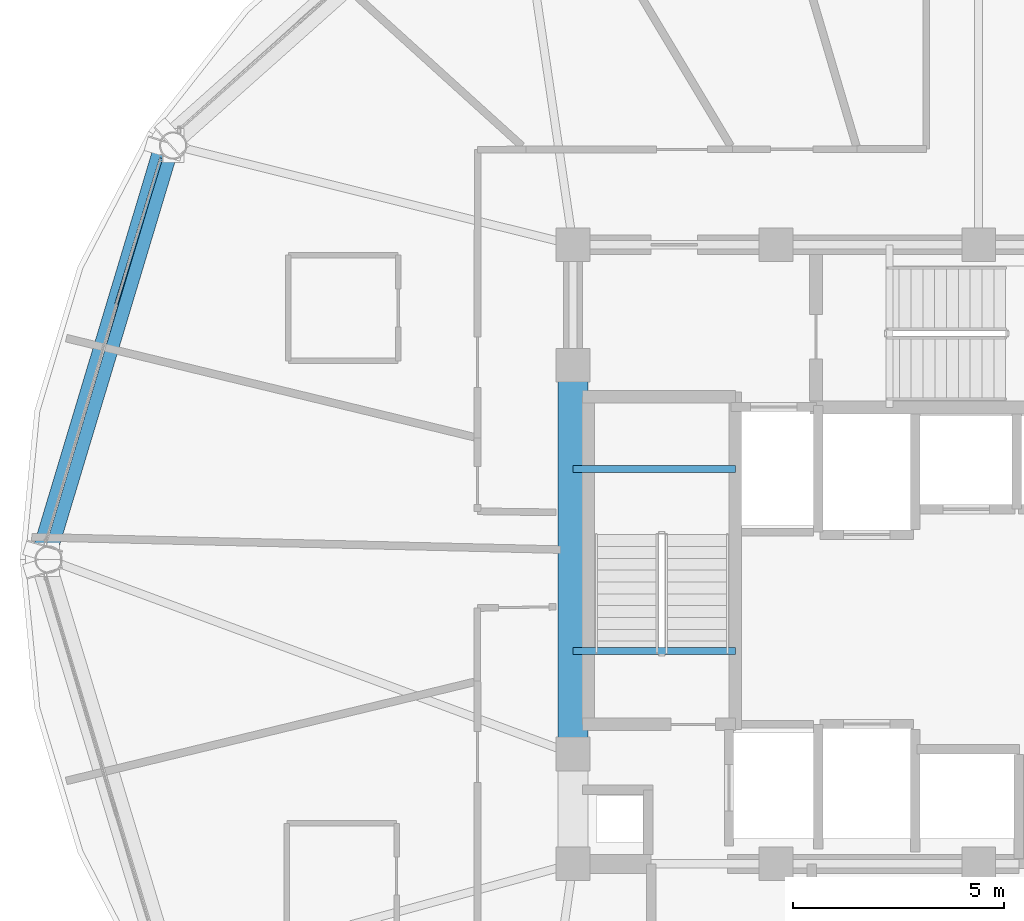
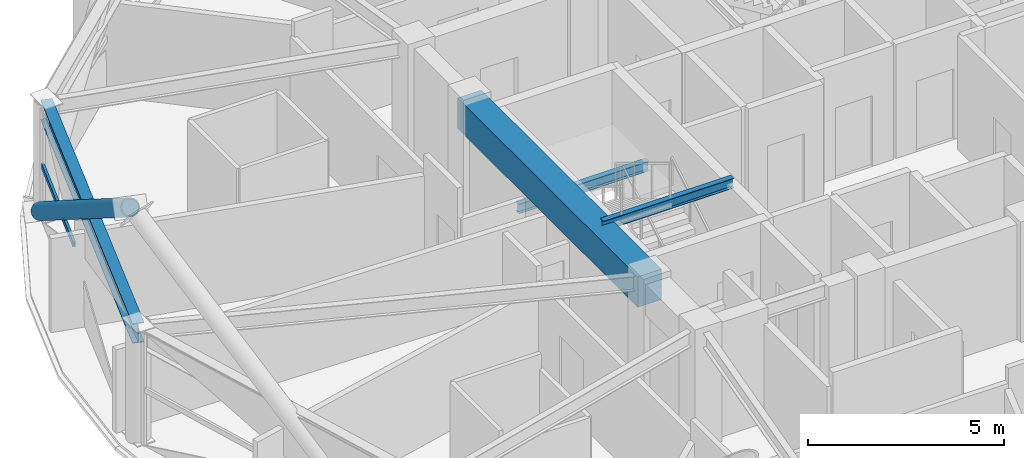
# One storey, part 8 of 29: 4 beams, 2 members, 1 element without a shape of its own.
"""IFC4 building model written with IfcOpenShell, lengths in metres."""

from ifc_helpers import new_model, si_unit, direction, frame, origin, origin_2d, place, context, subcontext, project, spatial, rectangle, hollow_rectangle, hollow_circle, i_section, extrude, material, layer, layer_set, material_profile, profile_set, type_object, element, aggregate, save


model = new_model("IFC4")

# Units and contexts
model_context = context("Model", 3, precision=1e-05, world=origin(), true_north=direction((0.0, 1.0)))
body_context = subcontext(model_context, "Body", "Model", "MODEL_VIEW")
ifc_project = project(units=[si_unit("LENGTHUNIT", "METRE"), si_unit("AREAUNIT", "SQUARE_METRE"), si_unit("VOLUMEUNIT", "CUBIC_METRE"), si_unit("PLANEANGLEUNIT", "RADIAN"), si_unit("MASSUNIT", "GRAM", prefix="KILO")], contexts=[model_context])

# Site, building, storey
site_placement = place(None, origin())
site = spatial("IfcSite", under=ifc_project, at=site_placement, CompositionType="ELEMENT")
building_placement = place(site_placement, origin())
building = spatial("IfcBuilding", under=site, at=building_placement, Name="Vantalir Tower", CompositionType="ELEMENT")
storey_placement = place(building_placement, frame((0.0, 0.0, 219.89990234375)))
storey = spatial("IfcBuildingStorey", under=building, at=storey_placement, Name="L55", CompositionType="ELEMENT", Elevation=219.89990234375)

# Beams
ifc_material_1 = material(Name="Concrete C60/75", Category="concrete")
ifc_material_profile_1 = material_profile(ifc_material_1, rectangle(XDim=0.699951171875, YDim=0.949951171875, at=origin_2d()), Name="Concrete C60/75")
ifc_profile_set_1 = profile_set([ifc_material_profile_1], Name="Concrete C60/75")
beam_type_1 = type_object("IfcBeamType", Name="BM-CB-700x950", PredefinedType="USERDEFINED", material=ifc_profile_set_1)
beam_1_placement = place(storey_placement, frame((21.89990234375, 29.60009765625, 3.09521484375), z_axis=(0.0, -1.0, 0.0), x_axis=(1.0, 0.0, 0.0)))
element("IfcBeam", 1, at=beam_1_placement, inside=storey, type_object=beam_type_1, Name="L55 Core Coupling Girder 13", ObjectType="GIRDER", PredefinedType="USERDEFINED", context=body_context, shape_type="SweptSolid", body=[
    extrude(rectangle(XDim=0.699951171875, YDim=0.949951171875, at=origin_2d()), origin(), (0.0, 0.0, 1.0), 9.2001953125),
])
ifc_material_2 = material(Name="Steel S355", Category="steel")
ifc_material_profile_2 = material_profile(ifc_material_2, i_section(OverallWidth=0.166015625, OverallDepth=0.306884765625, WebThickness=0.006591796875, FlangeThickness=0.01171875, at=origin_2d()), Name="Steel S355")
ifc_profile_set_2 = profile_set([ifc_material_profile_2], Name="Steel S355")
beam_type_2 = type_object("IfcBeamType", Name="BM-JS-305x165", PredefinedType="JOIST", material=ifc_profile_set_2)
for number, where, z_axis, x_axis, name in (
    (2, (21.89990234375, 22.8349609375, 3.59619140625), (1.0, 0.0, 0.0), (0.0, 1.0, 0.0), "L56 Stair ST1 Well Nosing Trimmer Beam"),
    (3, (21.89990234375, 27.14501953125, 1.52099609375), (1.0, 0.0, 0.0), (0.0, 1.0, 0.0), "L55 Stair ST1 Half-Landing Support Beam"),
):
    element("IfcBeam", number, at=place(storey_placement, frame(where, z_axis=z_axis, x_axis=x_axis)), inside=storey, type_object=beam_type_2, Name=name, PredefinedType="JOIST", context=body_context, shape_type="SweptSolid", body=[
        extrude(i_section(OverallWidth=0.166015625, OverallDepth=0.306884765625, WebThickness=0.006591796875, FlangeThickness=0.01171875, at=origin_2d()), origin(), (0.0, 0.0, 1.0), 3.840087890625),
    ])
ifc_material_3 = material(Name="Steel S460", Category="steel")
ifc_material_profile_3 = material_profile(ifc_material_3, i_section(OverallWidth=0.306884765625, OverallDepth=0.6201171875, WebThickness=0.01416015625, FlangeThickness=0.023681640625, at=origin_2d()), Name="Steel S460")
ifc_profile_set_3 = profile_set([ifc_material_profile_3], Name="Steel S460")
beam_type_3 = type_object("IfcBeamType", Name="BM-RG-610x305", PredefinedType="USERDEFINED", material=ifc_profile_set_3)
beam_2_placement = place(storey_placement, frame((12.43603515625, 34.798095703125, 3.260009765625), z_axis=(-0.288203662464, -0.957569135333, 0.0), x_axis=(0.957569135333, -0.288203662464, 0.0)))
element("IfcBeam", 4, at=beam_2_placement, inside=storey, type_object=beam_type_3, Name="L55 Circumferential Ring Girder 06", ObjectType="GIRDER", PredefinedType="USERDEFINED", context=body_context, shape_type="SweptSolid", body=[
    extrude(i_section(OverallWidth=0.306884765625, OverallDepth=0.6201171875, WebThickness=0.01416015625, FlangeThickness=0.023681640625, at=origin_2d()), origin(), (0.0, 0.0, 1.0), 10.232177734375),
])

# Curtain wall, member
ifc_material_4 = material(Name="Champagne-silver PVDF aluminium and double-silver Low-E glass", Category="aluminium")
ifc_layer = layer(ifc_material_4, 0.2099609375)
ifc_layer_set = layer_set([ifc_layer], Name="Champagne-silver PVDF aluminium and double-silver Low-E glass")
curtain_wall_type = type_object("IfcCurtainWallType", Name="CW-DIAMOND-Z3", PredefinedType="USERDEFINED", material=ifc_layer_set)
curtain_wall_placement = place(storey_placement, origin())
curtain_wall = element("IfcCurtainWall", 5, at=curtain_wall_placement, inside=storey, type_object=curtain_wall_type, Name="L55 Quilted Pyramid-Diamond Curtain Wall S06", ObjectType="UNITISED CURTAIN WALL", PredefinedType="USERDEFINED")
ifc_material_5 = material(Name="Champagne-silver PVDF aluminium 6063-T6", Category="aluminium")
ifc_material_profile_4 = material_profile(ifc_material_5, hollow_rectangle(XDim=0.074951171875, YDim=0.159912109375, WallThickness=0.00390625, at=origin_2d()), Name="Champagne-silver PVDF aluminium 6063-T6")
ifc_profile_set_4 = profile_set([ifc_material_profile_4], Name="Champagne-silver PVDF aluminium 6063-T6")
member_type_1 = type_object("IfcMemberType", Name="CWT-160x75", PredefinedType="USERDEFINED", material=ifc_profile_set_4)
member_1_placement = place(storey_placement, frame((12.154052734375, 34.5, 1.78515625), z_axis=(-0.294380131047, -0.955688410751, 0.0), x_axis=(0.955688410751, -0.294380131047, 0.0)))
member_1 = element("IfcMember", 6, at=member_1_placement, type_object=member_type_1, Name="CW-L55-S06 Pyramid Fold Ridge Transom", ObjectType="TRANSOM", PredefinedType="USERDEFINED", context=body_context, shape_type="SweptSolid", body=[
    extrude(hollow_rectangle(XDim=0.074951171875, YDim=0.159912109375, WallThickness=0.00390625, at=origin_2d()), origin(), (0.0, 0.0, 1.0), 3.6142578125),
])
aggregate(curtain_wall, [member_1])

# Member
ifc_material_profile_5 = material_profile(ifc_material_3, hollow_circle(Radius=0.25, WallThickness=0.031982421875, at=origin_2d()), Name="Steel S460")
ifc_profile_set_5 = profile_set([ifc_material_profile_5], Name="Steel S460")
member_type_2 = type_object("IfcMemberType", Name="MEM-DB-500x32", PredefinedType="BRACE", material=ifc_profile_set_5)
member_2_placement = place(storey_placement, frame((12.219970703125, 34.719970703125, 0.205078125), z_axis=(-0.236677859602, -0.787061061476, 0.569665231765), x_axis=(0.957638702943, -0.287972419904, 0.0)))
element("IfcMember", 7, at=member_2_placement, inside=storey, type_object=member_type_2, Name="L55 Perimeter S460 Diagrid Brace R16L", PredefinedType="BRACE", context=body_context, shape_type="SweptSolid", body=[
    extrude(hollow_circle(Radius=0.25, WallThickness=0.031982421875, at=origin_2d()), origin(), (0.0, 0.0, 1.0), 12.1298828125),
])

save(model, "model.ifc")
